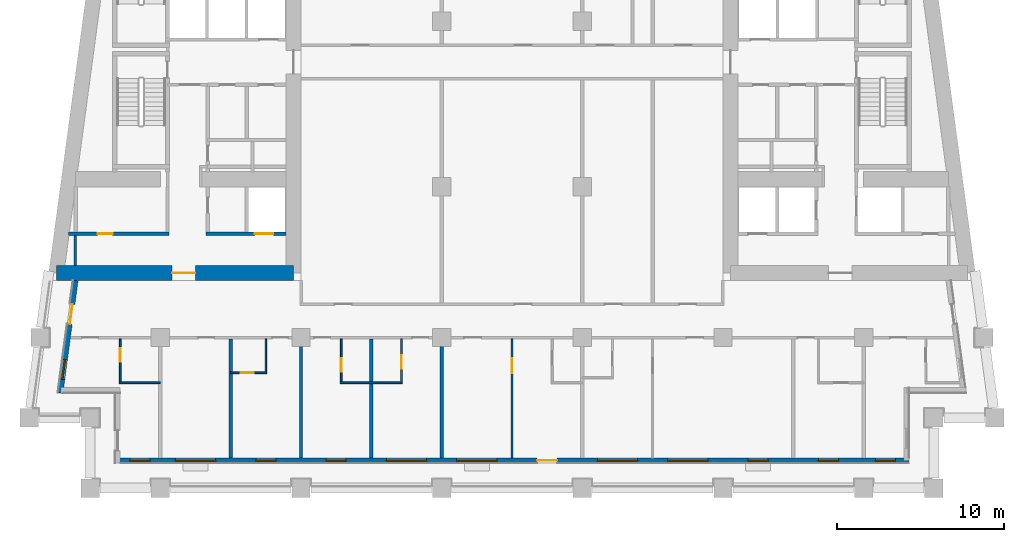
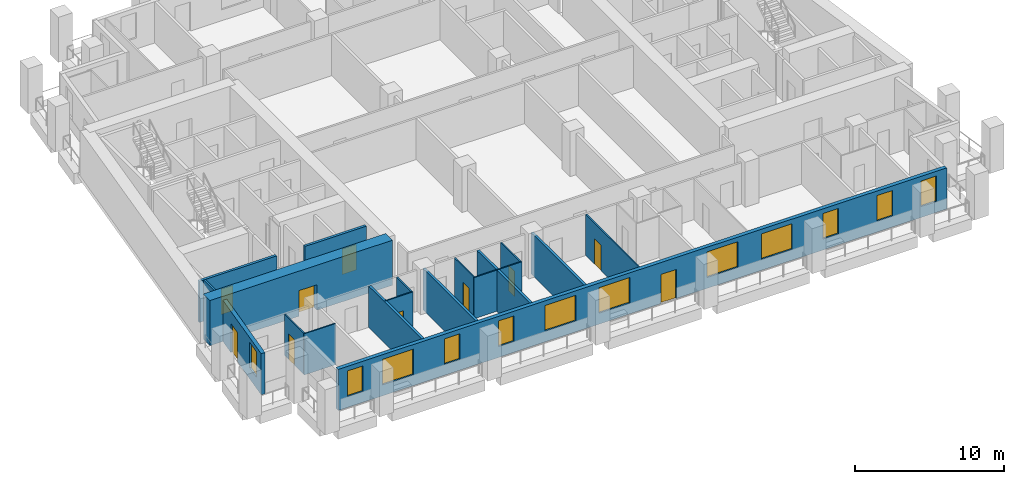
# One storey, part 2 of 12: 18 walls, 12 windows, 10 doors, 22 openings.
"""IFC4 building model written with IfcOpenShell, lengths in metres."""

from ifc_helpers import new_model, si_unit, direction, frame, frame_2d, origin, place, context, subcontext, project, spatial, rectangle, extrude, material, layer, layer_set, type_object, element, fill, save


model = new_model("IFC4")

# Units and contexts
model_context = context("Model", 3, precision=1e-05, world=origin(), true_north=direction((0.0, 1.0)))
body_context = subcontext(model_context, "Body", "Model", "MODEL_VIEW")
ifc_project = project(units=[si_unit("LENGTHUNIT", "METRE"), si_unit("AREAUNIT", "SQUARE_METRE"), si_unit("VOLUMEUNIT", "CUBIC_METRE"), si_unit("PLANEANGLEUNIT", "RADIAN"), si_unit("MASSUNIT", "GRAM", prefix="KILO")], contexts=[model_context])

# Site, building, storey
site_placement = place(None, origin())
site = spatial("IfcSite", under=ifc_project, at=site_placement, CompositionType="ELEMENT")
building_placement = place(site_placement, origin())
building = spatial("IfcBuilding", under=site, at=building_placement, Name="Candeia Pilgrim Tower and Theatre", CompositionType="ELEMENT")
storey_placement = place(building_placement, frame((0.0, 0.0, 147.800048828125)))
storey = spatial("IfcBuildingStorey", under=building, at=storey_placement, Name="L34", CompositionType="ELEMENT", Elevation=147.800048828125)

# Wall, opening, door
ifc_material_1 = material(Name="Concrete C60/75", Category="concrete")
ifc_layer_1 = layer(ifc_material_1, 0.89990234375)
ifc_layer_set_1 = layer_set([ifc_layer_1], Name="Core wall 900 C60/75")
wall_type_1 = type_object("IfcWallType", Name="Core wall 900 C60/75", PredefinedType="SHEAR", material=ifc_layer_set_1)
wall_1_placement = place(storey_placement, frame((100.35009765625, 110.85009765625, 0.0), z_axis=(0.0, 0.0, 1.0), x_axis=(-1.0, 0.0, 0.0)))
wall_1 = element("IfcWall", 1, at=wall_1_placement, inside=storey, type_object=wall_type_1, Name="Core wall W3", PredefinedType="SHEAR", context=body_context, shape_type="SweptSolid", body=[
    extrude(rectangle(XDim=14.166259765625, YDim=0.89990234375, at=frame_2d((7.0830078125, 0.0))), origin(), (0.0, 0.0, 1.0), 3.699951171875),
])
opening_1_placement = place(wall_1_placement, frame((5.854736328125, 0.0, 0.0)))
opening_1 = element("IfcOpeningElement", 2, at=opening_1_placement, cuts=wall_1, Name="Opening L34-D055", PredefinedType="OPENING", context=body_context, shape_type="SweptSolid", body=[
    extrude(rectangle(XDim=1.39990234375, YDim=2.10009765625, at=frame_2d((0.699951171875, 1.050048828125))), frame((0.0, 0.4599609375, 0.0), z_axis=(0.0, -1.0, 0.0), x_axis=(1.0, 0.0, 0.0)), (0.0, 0.0, 1.0), 0.919921875),
])
ifc_material_2 = material(Name="Steel fire door set", Category="steel")
door_type_1 = type_object("IfcDoorType", Name="D-1400-FD60", OperationType="NOTDEFINED", PredefinedType="DOOR", material=ifc_material_2)
door_1_placement = place(opening_1_placement, origin())
door_1 = element("IfcDoor", 3, at=door_1_placement, inside=storey, type_object=door_type_1, Name="Door L34-D055", OperationType="SINGLE_SWING_LEFT", OverallHeight=2.10009765625, OverallWidth=1.39990234375, PredefinedType="DOOR", context=body_context, shape_type="SweptSolid", body=[
    extrude(rectangle(XDim=1.39990234375, YDim=2.10009765625, at=frame_2d((0.699951171875, 1.050048828125))), frame((0.0, 0.02490234375, 0.0), z_axis=(0.0, -1.0, 0.0), x_axis=(1.0, 0.0, 0.0)), (0.0, 0.0, 1.0), 0.050048828125),
])
fill(opening_1, door_1)

# Wall, openings, door, windows
ifc_material_3 = material(Name="Ceramic block masonry", Category="masonry")
ifc_layer_2 = layer(ifc_material_3, 0.300048828125)
ifc_layer_set_2 = layer_set([ifc_layer_2], Name="EW1 glazing-line wall 300")
wall_type_2 = type_object("IfcWallType", Name="EW1 glazing-line wall 300", PredefinedType="SOLIDWALL", material=ifc_layer_set_2)
wall_2_placement = place(storey_placement, frame((89.85009765625, 99.64990234375, 0.0), z_axis=(0.0, 0.0, 1.0), x_axis=(1.0, 0.0, 0.0)))
wall_2 = element("IfcWall", 4, at=wall_2_placement, inside=storey, type_object=wall_type_2, Name="External wall L34-0.0", PredefinedType="SOLIDWALL", context=body_context, shape_type="SweptSolid", body=[
    extrude(rectangle(XDim=47.25, YDim=0.300048828125, at=frame_2d((23.625, 0.0))), origin(), (0.0, 0.0, 1.0), 3.3798828125),
])
opening_2_placement = place(wall_2_placement, frame((0.72509765625, 0.0, 0.89990234375)))
opening_2 = element("IfcOpeningElement", 5, at=opening_2_placement, cuts=wall_2, Name="Opening W-B", PredefinedType="OPENING", context=body_context, shape_type="SweptSolid", body=[
    extrude(rectangle(XDim=1.199951171875, YDim=2.10009765625, at=frame_2d((0.60009765625, 1.050048828125))), frame((0.0, 0.16015625, 0.0), z_axis=(0.0, -1.0, 0.0), x_axis=(1.0, 0.0, 0.0)), (0.0, 0.0, 1.0), 0.320068359375),
])
opening_3_placement = place(wall_2_placement, frame((3.449951171875, 0.0, 0.89990234375)))
opening_3 = element("IfcOpeningElement", 6, at=opening_3_placement, cuts=wall_2, Name="Opening W-A", PredefinedType="OPENING", context=body_context, shape_type="SweptSolid", body=[
    extrude(rectangle(XDim=2.39990234375, YDim=2.10009765625, at=frame_2d((1.199951171875, 1.050048828125))), frame((0.0, 0.16015625, 0.0), z_axis=(0.0, -1.0, 0.0), x_axis=(1.0, 0.0, 0.0)), (0.0, 0.0, 1.0), 0.320068359375),
])
opening_4_placement = place(wall_2_placement, frame((8.25, 0.0, 0.89990234375)))
opening_4 = element("IfcOpeningElement", 7, at=opening_4_placement, cuts=wall_2, Name="Opening W-B", PredefinedType="OPENING", context=body_context, shape_type="SweptSolid", body=[
    extrude(rectangle(XDim=1.199951171875, YDim=2.10009765625, at=frame_2d((0.60009765625, 1.050048828125))), frame((0.0, 0.16015625, 0.0), z_axis=(0.0, -1.0, 0.0), x_axis=(1.0, 0.0, 0.0)), (0.0, 0.0, 1.0), 0.320068359375),
])
opening_5_placement = place(wall_2_placement, frame((12.449951171875, 0.0, 0.89990234375)))
opening_5 = element("IfcOpeningElement", 8, at=opening_5_placement, cuts=wall_2, Name="Opening W-B", PredefinedType="OPENING", context=body_context, shape_type="SweptSolid", body=[
    extrude(rectangle(XDim=1.199951171875, YDim=2.10009765625, at=frame_2d((0.60009765625, 1.050048828125))), frame((0.0, 0.16015625, 0.0), z_axis=(0.0, -1.0, 0.0), x_axis=(1.0, 0.0, 0.0)), (0.0, 0.0, 1.0), 0.320068359375),
])
opening_6_placement = place(wall_2_placement, frame((16.050048828125, 0.0, 0.89990234375)))
opening_6 = element("IfcOpeningElement", 9, at=opening_6_placement, cuts=wall_2, Name="Opening W-A", PredefinedType="OPENING", context=body_context, shape_type="SweptSolid", body=[
    extrude(rectangle(XDim=2.39990234375, YDim=2.10009765625, at=frame_2d((1.199951171875, 1.050048828125))), frame((0.0, 0.16015625, 0.0), z_axis=(0.0, -1.0, 0.0), x_axis=(1.0, 0.0, 0.0)), (0.0, 0.0, 1.0), 0.320068359375),
])
opening_7_placement = place(wall_2_placement, frame((20.25, 0.0, 0.89990234375)))
opening_7 = element("IfcOpeningElement", 10, at=opening_7_placement, cuts=wall_2, Name="Opening W-A", PredefinedType="OPENING", context=body_context, shape_type="SweptSolid", body=[
    extrude(rectangle(XDim=2.39990234375, YDim=2.10009765625, at=frame_2d((1.199951171875, 1.050048828125))), frame((0.0, 0.16015625, 0.0), z_axis=(0.0, -1.0, 0.0), x_axis=(1.0, 0.0, 0.0)), (0.0, 0.0, 1.0), 0.320068359375),
])
opening_8_placement = place(wall_2_placement, frame((25.050048828125, 0.0, 0.0)))
opening_8 = element("IfcOpeningElement", 11, at=opening_8_placement, cuts=wall_2, Name="Opening L34-ED326", PredefinedType="OPENING", context=body_context, shape_type="SweptSolid", body=[
    extrude(rectangle(XDim=1.199951171875, YDim=2.39990234375, at=frame_2d((0.60009765625, 1.199951171875))), frame((0.0, 0.16015625, 0.0), z_axis=(0.0, -1.0, 0.0), x_axis=(1.0, 0.0, 0.0)), (0.0, 0.0, 1.0), 0.320068359375),
])
opening_9_placement = place(wall_2_placement, frame((28.64990234375, 0.0, 0.89990234375)))
opening_9 = element("IfcOpeningElement", 12, at=opening_9_placement, cuts=wall_2, Name="Opening W-A", PredefinedType="OPENING", context=body_context, shape_type="SweptSolid", body=[
    extrude(rectangle(XDim=2.39990234375, YDim=2.10009765625, at=frame_2d((1.199951171875, 1.050048828125))), frame((0.0, 0.16015625, 0.0), z_axis=(0.0, -1.0, 0.0), x_axis=(1.0, 0.0, 0.0)), (0.0, 0.0, 1.0), 0.320068359375),
])
opening_10_placement = place(wall_2_placement, frame((32.85009765625, 0.0, 0.89990234375)))
opening_10 = element("IfcOpeningElement", 13, at=opening_10_placement, cuts=wall_2, Name="Opening W-A", PredefinedType="OPENING", context=body_context, shape_type="SweptSolid", body=[
    extrude(rectangle(XDim=2.39990234375, YDim=2.10009765625, at=frame_2d((1.199951171875, 1.050048828125))), frame((0.0, 0.16015625, 0.0), z_axis=(0.0, -1.0, 0.0), x_axis=(1.0, 0.0, 0.0)), (0.0, 0.0, 1.0), 0.320068359375),
])
opening_11_placement = place(wall_2_placement, frame((37.64990234375, 0.0, 0.89990234375)))
opening_11 = element("IfcOpeningElement", 14, at=opening_11_placement, cuts=wall_2, Name="Opening W-B", PredefinedType="OPENING", context=body_context, shape_type="SweptSolid", body=[
    extrude(rectangle(XDim=1.199951171875, YDim=2.10009765625, at=frame_2d((0.60009765625, 1.050048828125))), frame((0.0, 0.16015625, 0.0), z_axis=(0.0, -1.0, 0.0), x_axis=(1.0, 0.0, 0.0)), (0.0, 0.0, 1.0), 0.320068359375),
])
opening_12_placement = place(wall_2_placement, frame((41.85009765625, 0.0, 0.89990234375)))
opening_12 = element("IfcOpeningElement", 15, at=opening_12_placement, cuts=wall_2, Name="Opening W-B", PredefinedType="OPENING", context=body_context, shape_type="SweptSolid", body=[
    extrude(rectangle(XDim=1.199951171875, YDim=2.10009765625, at=frame_2d((0.60009765625, 1.050048828125))), frame((0.0, 0.16015625, 0.0), z_axis=(0.0, -1.0, 0.0), x_axis=(1.0, 0.0, 0.0)), (0.0, 0.0, 1.0), 0.320068359375),
])
opening_13_placement = place(wall_2_placement, frame((45.25, 0.0, 0.89990234375)))
opening_13 = element("IfcOpeningElement", 16, at=opening_13_placement, cuts=wall_2, Name="Opening W-B", PredefinedType="OPENING", context=body_context, shape_type="SweptSolid", body=[
    extrude(rectangle(XDim=1.199951171875, YDim=2.10009765625, at=frame_2d((0.60009765625, 1.050048828125))), frame((0.0, 0.16015625, 0.0), z_axis=(0.0, -1.0, 0.0), x_axis=(1.0, 0.0, 0.0)), (0.0, 0.0, 1.0), 0.320068359375),
])
ifc_material_4 = material(Name="Aluminium framed glazed door", Category="aluminium")
door_type_2 = type_object("IfcDoorType", Name="Loggia door 1200x2400", OperationType="DOUBLE_DOOR_SINGLE_SWING", PredefinedType="DOOR", material=ifc_material_4)
door_2_placement = place(opening_8_placement, origin())
door_2 = element("IfcDoor", 17, at=door_2_placement, inside=storey, type_object=door_type_2, Name="Loggia door L34-ED326", OperationType="DOUBLE_DOOR_SINGLE_SWING", OverallHeight=2.39990234375, OverallWidth=1.199951171875, PredefinedType="DOOR", context=body_context, shape_type="SweptSolid", body=[
    extrude(rectangle(XDim=1.199951171875, YDim=2.39990234375, at=frame_2d((0.60009765625, 1.199951171875))), frame((0.0, 0.02490234375, 0.0), z_axis=(0.0, -1.0, 0.0), x_axis=(1.0, 0.0, 0.0)), (0.0, 0.0, 1.0), 0.050048828125),
])
fill(opening_8, door_2)
ifc_material_5 = material(Name="Aluminium framed double glazing", Category="aluminium")
window_type_1 = type_object("IfcWindowType", Name="W-A window 2400x2100", PartitioningType="DOUBLE_PANEL_VERTICAL", PredefinedType="WINDOW", material=ifc_material_5)
window_1_placement = place(opening_3_placement, origin())
window_1 = element("IfcWindow", 18, at=window_1_placement, inside=storey, type_object=window_type_1, Name="Window W-A L34", OverallHeight=2.10009765625, OverallWidth=2.39990234375, PartitioningType="SINGLE_PANEL", PredefinedType="WINDOW", context=body_context, shape_type="SweptSolid", body=[
    extrude(rectangle(XDim=2.39990234375, YDim=2.10009765625, at=frame_2d((1.199951171875, 1.050048828125))), frame((0.0, 0.030029296875, 0.0), z_axis=(0.0, -1.0, 0.0), x_axis=(1.0, 0.0, 0.0)), (0.0, 0.0, 1.0), 0.06005859375),
])
fill(opening_3, window_1)
window_2_placement = place(opening_6_placement, origin())
window_2 = element("IfcWindow", 19, at=window_2_placement, inside=storey, type_object=window_type_1, Name="Window W-A L34", OverallHeight=2.10009765625, OverallWidth=2.39990234375, PartitioningType="SINGLE_PANEL", PredefinedType="WINDOW", context=body_context, shape_type="SweptSolid", body=[
    extrude(rectangle(XDim=2.39990234375, YDim=2.10009765625, at=frame_2d((1.199951171875, 1.050048828125))), frame((0.0, 0.030029296875, 0.0), z_axis=(0.0, -1.0, 0.0), x_axis=(1.0, 0.0, 0.0)), (0.0, 0.0, 1.0), 0.06005859375),
])
fill(opening_6, window_2)
window_3_placement = place(opening_7_placement, origin())
window_3 = element("IfcWindow", 20, at=window_3_placement, inside=storey, type_object=window_type_1, Name="Window W-A L34", OverallHeight=2.10009765625, OverallWidth=2.39990234375, PartitioningType="SINGLE_PANEL", PredefinedType="WINDOW", context=body_context, shape_type="SweptSolid", body=[
    extrude(rectangle(XDim=2.39990234375, YDim=2.10009765625, at=frame_2d((1.199951171875, 1.050048828125))), frame((0.0, 0.030029296875, 0.0), z_axis=(0.0, -1.0, 0.0), x_axis=(1.0, 0.0, 0.0)), (0.0, 0.0, 1.0), 0.06005859375),
])
fill(opening_7, window_3)
window_4_placement = place(opening_9_placement, origin())
window_4 = element("IfcWindow", 21, at=window_4_placement, inside=storey, type_object=window_type_1, Name="Window W-A L34", OverallHeight=2.10009765625, OverallWidth=2.39990234375, PartitioningType="SINGLE_PANEL", PredefinedType="WINDOW", context=body_context, shape_type="SweptSolid", body=[
    extrude(rectangle(XDim=2.39990234375, YDim=2.10009765625, at=frame_2d((1.199951171875, 1.050048828125))), frame((0.0, 0.030029296875, 0.0), z_axis=(0.0, -1.0, 0.0), x_axis=(1.0, 0.0, 0.0)), (0.0, 0.0, 1.0), 0.06005859375),
])
fill(opening_9, window_4)
window_5_placement = place(opening_10_placement, origin())
window_5 = element("IfcWindow", 22, at=window_5_placement, inside=storey, type_object=window_type_1, Name="Window W-A L34", OverallHeight=2.10009765625, OverallWidth=2.39990234375, PartitioningType="SINGLE_PANEL", PredefinedType="WINDOW", context=body_context, shape_type="SweptSolid", body=[
    extrude(rectangle(XDim=2.39990234375, YDim=2.10009765625, at=frame_2d((1.199951171875, 1.050048828125))), frame((0.0, 0.030029296875, 0.0), z_axis=(0.0, -1.0, 0.0), x_axis=(1.0, 0.0, 0.0)), (0.0, 0.0, 1.0), 0.06005859375),
])
fill(opening_10, window_5)
window_type_2 = type_object("IfcWindowType", Name="W-B window 1200x2100", PartitioningType="SINGLE_PANEL", PredefinedType="WINDOW", material=ifc_material_5)
window_6_placement = place(opening_2_placement, origin())
window_6 = element("IfcWindow", 23, at=window_6_placement, inside=storey, type_object=window_type_2, Name="Window W-B L34", OverallHeight=2.10009765625, OverallWidth=1.199951171875, PartitioningType="SINGLE_PANEL", PredefinedType="WINDOW", context=body_context, shape_type="SweptSolid", body=[
    extrude(rectangle(XDim=1.199951171875, YDim=2.10009765625, at=frame_2d((0.60009765625, 1.050048828125))), frame((0.0, 0.030029296875, 0.0), z_axis=(0.0, -1.0, 0.0), x_axis=(1.0, 0.0, 0.0)), (0.0, 0.0, 1.0), 0.06005859375),
])
fill(opening_2, window_6)
window_7_placement = place(opening_4_placement, origin())
window_7 = element("IfcWindow", 24, at=window_7_placement, inside=storey, type_object=window_type_2, Name="Window W-B L34", OverallHeight=2.10009765625, OverallWidth=1.199951171875, PartitioningType="SINGLE_PANEL", PredefinedType="WINDOW", context=body_context, shape_type="SweptSolid", body=[
    extrude(rectangle(XDim=1.199951171875, YDim=2.10009765625, at=frame_2d((0.60009765625, 1.050048828125))), frame((0.0, 0.030029296875, 0.0), z_axis=(0.0, -1.0, 0.0), x_axis=(1.0, 0.0, 0.0)), (0.0, 0.0, 1.0), 0.06005859375),
])
fill(opening_4, window_7)
window_8_placement = place(opening_5_placement, origin())
window_8 = element("IfcWindow", 25, at=window_8_placement, inside=storey, type_object=window_type_2, Name="Window W-B L34", OverallHeight=2.10009765625, OverallWidth=1.199951171875, PartitioningType="SINGLE_PANEL", PredefinedType="WINDOW", context=body_context, shape_type="SweptSolid", body=[
    extrude(rectangle(XDim=1.199951171875, YDim=2.10009765625, at=frame_2d((0.60009765625, 1.050048828125))), frame((0.0, 0.030029296875, 0.0), z_axis=(0.0, -1.0, 0.0), x_axis=(1.0, 0.0, 0.0)), (0.0, 0.0, 1.0), 0.06005859375),
])
fill(opening_5, window_8)
window_9_placement = place(opening_11_placement, origin())
window_9 = element("IfcWindow", 26, at=window_9_placement, inside=storey, type_object=window_type_2, Name="Window W-B L34", OverallHeight=2.10009765625, OverallWidth=1.199951171875, PartitioningType="SINGLE_PANEL", PredefinedType="WINDOW", context=body_context, shape_type="SweptSolid", body=[
    extrude(rectangle(XDim=1.199951171875, YDim=2.10009765625, at=frame_2d((0.60009765625, 1.050048828125))), frame((0.0, 0.030029296875, 0.0), z_axis=(0.0, -1.0, 0.0), x_axis=(1.0, 0.0, 0.0)), (0.0, 0.0, 1.0), 0.06005859375),
])
fill(opening_11, window_9)
window_10_placement = place(opening_12_placement, origin())
window_10 = element("IfcWindow", 27, at=window_10_placement, inside=storey, type_object=window_type_2, Name="Window W-B L34", OverallHeight=2.10009765625, OverallWidth=1.199951171875, PartitioningType="SINGLE_PANEL", PredefinedType="WINDOW", context=body_context, shape_type="SweptSolid", body=[
    extrude(rectangle(XDim=1.199951171875, YDim=2.10009765625, at=frame_2d((0.60009765625, 1.050048828125))), frame((0.0, 0.030029296875, 0.0), z_axis=(0.0, -1.0, 0.0), x_axis=(1.0, 0.0, 0.0)), (0.0, 0.0, 1.0), 0.06005859375),
])
fill(opening_12, window_10)
window_11_placement = place(opening_13_placement, origin())
window_11 = element("IfcWindow", 28, at=window_11_placement, inside=storey, type_object=window_type_2, Name="Window W-B L34", OverallHeight=2.10009765625, OverallWidth=1.199951171875, PartitioningType="SINGLE_PANEL", PredefinedType="WINDOW", context=body_context, shape_type="SweptSolid", body=[
    extrude(rectangle(XDim=1.199951171875, YDim=2.10009765625, at=frame_2d((0.60009765625, 1.050048828125))), frame((0.0, 0.030029296875, 0.0), z_axis=(0.0, -1.0, 0.0), x_axis=(1.0, 0.0, 0.0)), (0.0, 0.0, 1.0), 0.06005859375),
])
fill(opening_13, window_11)

# Wall, openings, door, window
wall_3_placement = place(storey_placement, frame((87.334228515625, 110.39990234375, 0.0), z_axis=(0.0, 0.0, 1.0), x_axis=(-0.133437175554, -0.991057273915, 0.0)))
wall_3 = element("IfcWall", 29, at=wall_3_placement, inside=storey, type_object=wall_type_2, Name="External wall L34-9.1", PredefinedType="SOLIDWALL", context=body_context, shape_type="SweptSolid", body=[
    extrude(rectangle(XDim=6.780517578125, YDim=0.300048828125, at=frame_2d((3.39013671875, 0.0))), origin(), (0.0, 0.0, 1.0), 3.3798828125),
])
opening_14_placement = place(wall_3_placement, frame((1.41796875, 0.0, 0.0)))
opening_14 = element("IfcOpeningElement", 30, at=opening_14_placement, cuts=wall_3, Name="Opening L34-ED333", PredefinedType="OPENING", context=body_context, shape_type="SweptSolid", body=[
    extrude(rectangle(XDim=1.199951171875, YDim=2.39990234375, at=frame_2d((0.60009765625, 1.199951171875))), frame((0.0, 0.16015625, 0.0), z_axis=(0.0, -1.0, 0.0), x_axis=(1.0, 0.0, 0.0)), (0.0, 0.0, 1.0), 0.320068359375),
])
opening_15_placement = place(wall_3_placement, frame((4.75830078125, 0.0, 0.89990234375)))
opening_15 = element("IfcOpeningElement", 31, at=opening_15_placement, cuts=wall_3, Name="Opening W-B", PredefinedType="OPENING", context=body_context, shape_type="SweptSolid", body=[
    extrude(rectangle(XDim=1.199951171875, YDim=2.10009765625, at=frame_2d((0.60009765625, 1.050048828125))), frame((0.0, 0.16015625, 0.0), z_axis=(0.0, -1.0, 0.0), x_axis=(1.0, 0.0, 0.0)), (0.0, 0.0, 1.0), 0.320068359375),
])
door_3_placement = place(opening_14_placement, origin())
door_3 = element("IfcDoor", 32, at=door_3_placement, inside=storey, type_object=door_type_2, Name="Loggia door L34-ED333", OperationType="DOUBLE_DOOR_SINGLE_SWING", OverallHeight=2.39990234375, OverallWidth=1.199951171875, PredefinedType="DOOR", context=body_context, shape_type="SweptSolid", body=[
    extrude(rectangle(XDim=1.199951171875, YDim=2.39990234375, at=frame_2d((0.60009765625, 1.199951171875))), frame((0.0, 0.02490234375, 0.0), z_axis=(0.0, -1.0, 0.0), x_axis=(1.0, 0.0, 0.0)), (0.0, 0.0, 1.0), 0.050048828125),
])
fill(opening_14, door_3)
window_12_placement = place(opening_15_placement, origin())
window_12 = element("IfcWindow", 33, at=window_12_placement, inside=storey, type_object=window_type_2, Name="Window W-B L34", OverallHeight=2.10009765625, OverallWidth=1.199951171875, PartitioningType="SINGLE_PANEL", PredefinedType="WINDOW", context=body_context, shape_type="SweptSolid", body=[
    extrude(rectangle(XDim=1.199951171875, YDim=2.10009765625, at=frame_2d((0.60009765625, 1.050048828125))), frame((0.0, 0.030029296875, 0.0), z_axis=(0.0, -1.0, 0.0), x_axis=(1.0, 0.0, 0.0)), (0.0, 0.0, 1.0), 0.06005859375),
])
fill(opening_15, window_12)

# Walls
ifc_material_6 = material(Name="Gypsum board partition on steel studs", Category="steel")
ifc_layer_3 = layer(ifc_material_6, 0.10009765625)
ifc_layer_set_3 = layer_set([ifc_layer_3], Name="PW-100 room partition")
wall_type_3 = type_object("IfcWallType", Name="PW-100 room partition", PredefinedType="PARTITIONING", material=ifc_layer_set_3)
wall_4_placement = place(storey_placement, frame((89.949951171875, 104.300048828125, 0.0), z_axis=(0.0, 0.0, 1.0), x_axis=(1.0, 0.0, 0.0)))
element("IfcWall", 34, at=wall_4_placement, inside=storey, type_object=wall_type_3, Name="Room partition L34-001", PredefinedType="PARTITIONING", context=body_context, shape_type="SweptSolid", body=[
    extrude(rectangle(XDim=2.449951171875, YDim=0.10009765625, at=frame_2d((1.22509765625, 0.0))), origin(), (0.0, 0.0, 1.0), 3.3798828125),
])
wall_5_placement = place(storey_placement, frame((103.14990234375, 104.300048828125, 0.0), z_axis=(0.0, 0.0, 1.0), x_axis=(1.0, 0.0, 0.0)))
element("IfcWall", 35, at=wall_5_placement, inside=storey, type_object=wall_type_3, Name="Room partition L34-002", PredefinedType="PARTITIONING", context=body_context, shape_type="SweptSolid", body=[
    extrude(rectangle(XDim=3.7001953125, YDim=0.10009765625, at=frame_2d((1.85009765625, 0.0))), origin(), (0.0, 0.0, 1.0), 3.3798828125),
])

# Wall, opening, door
wall_6_placement = place(storey_placement, frame((96.60009765625, 104.89990234375, 0.0), z_axis=(0.0, 0.0, 1.0), x_axis=(1.0, 0.0, 0.0)))
wall_6 = element("IfcWall", 36, at=wall_6_placement, inside=storey, type_object=wall_type_3, Name="Room partition L34-007", PredefinedType="PARTITIONING", context=body_context, shape_type="SweptSolid", body=[
    extrude(rectangle(XDim=2.14990234375, YDim=0.10009765625, at=frame_2d((1.074951171875, 0.0))), origin(), (0.0, 0.0, 1.0), 3.3798828125),
])
opening_16_placement = place(wall_6_placement, frame((0.590087890625, 0.0, 0.0)))
opening_16 = element("IfcOpeningElement", 37, at=opening_16_placement, cuts=wall_6, Name="Opening L34-D020", PredefinedType="OPENING", context=body_context, shape_type="SweptSolid", body=[
    extrude(rectangle(XDim=0.800048828125, YDim=2.10009765625, at=frame_2d((0.39990234375, 1.050048828125))), frame((0.0, 0.06005859375, 0.0), z_axis=(0.0, -1.0, 0.0), x_axis=(1.0, 0.0, 0.0)), (0.0, 0.0, 1.0), 0.1201171875),
])
ifc_material_7 = material(Name="Timber door leaf", Category="wood")
door_type_3 = type_object("IfcDoorType", Name="D-800", OperationType="NOTDEFINED", PredefinedType="DOOR", material=ifc_material_7)
door_4_placement = place(opening_16_placement, origin())
door_4 = element("IfcDoor", 38, at=door_4_placement, inside=storey, type_object=door_type_3, Name="Door L34-D020", OperationType="SINGLE_SWING_RIGHT", OverallHeight=2.10009765625, OverallWidth=0.800048828125, PredefinedType="DOOR", context=body_context, shape_type="SweptSolid", body=[
    extrude(rectangle(XDim=0.800048828125, YDim=2.10009765625, at=frame_2d((0.39990234375, 1.050048828125))), frame((0.0, 0.02490234375, 0.0), z_axis=(0.0, -1.0, 0.0), x_axis=(1.0, 0.0, 0.0)), (0.0, 0.0, 1.0), 0.050048828125),
])
fill(opening_16, door_4)

wall_7_placement = place(storey_placement, frame((90.0, 104.35009765625, 0.0), z_axis=(0.0, 0.0, 1.0), x_axis=(0.0, 1.0, 0.0)))
wall_7 = element("IfcWall", 39, at=wall_7_placement, inside=storey, type_object=wall_type_3, Name="Room partition L34-051", PredefinedType="PARTITIONING", context=body_context, shape_type="SweptSolid", body=[
    extrude(rectangle(XDim=2.574951171875, YDim=0.10009765625, at=frame_2d((1.28759765625, 0.0))), origin(), (0.0, 0.0, 1.0), 3.3798828125),
])
opening_17_placement = place(wall_7_placement, frame((1.199951171875, 0.0, 0.0)))
opening_17 = element("IfcOpeningElement", 40, at=opening_17_placement, cuts=wall_7, Name="Opening L34-D017", PredefinedType="OPENING", context=body_context, shape_type="SweptSolid", body=[
    extrude(rectangle(XDim=0.800048828125, YDim=2.10009765625, at=frame_2d((0.39990234375, 1.050048828125))), frame((0.0, 0.06005859375, 0.0), z_axis=(0.0, -1.0, 0.0), x_axis=(1.0, 0.0, 0.0)), (0.0, 0.0, 1.0), 0.1201171875),
])
door_5_placement = place(opening_17_placement, origin())
door_5 = element("IfcDoor", 41, at=door_5_placement, inside=storey, type_object=door_type_3, Name="Door L34-D017", OperationType="SINGLE_SWING_LEFT", OverallHeight=2.10009765625, OverallWidth=0.800048828125, PredefinedType="DOOR", context=body_context, shape_type="SweptSolid", body=[
    extrude(rectangle(XDim=0.800048828125, YDim=2.10009765625, at=frame_2d((0.39990234375, 1.050048828125))), frame((0.0, 0.02490234375, 0.0), z_axis=(0.0, -1.0, 0.0), x_axis=(1.0, 0.0, 0.0)), (0.0, 0.0, 1.0), 0.050048828125),
])
fill(opening_17, door_5)

# Wall
wall_8_placement = place(storey_placement, frame((98.699951171875, 104.949951171875, 0.0), z_axis=(0.0, 0.0, 1.0), x_axis=(0.0, 1.0, 0.0)))
element("IfcWall", 42, at=wall_8_placement, inside=storey, type_object=wall_type_3, Name="Room partition L34-069", PredefinedType="PARTITIONING", context=body_context, shape_type="SweptSolid", body=[
    extrude(rectangle(XDim=1.97509765625, YDim=0.10009765625, at=frame_2d((0.987548828125, 0.0))), origin(), (0.0, 0.0, 1.0), 3.3798828125),
])

# Wall, opening, door
wall_9_placement = place(storey_placement, frame((103.199951171875, 104.35009765625, 0.0), z_axis=(0.0, 0.0, 1.0), x_axis=(0.0, 1.0, 0.0)))
wall_9 = element("IfcWall", 43, at=wall_9_placement, inside=storey, type_object=wall_type_3, Name="Room partition L34-074", PredefinedType="PARTITIONING", context=body_context, shape_type="SweptSolid", body=[
    extrude(rectangle(XDim=2.574951171875, YDim=0.10009765625, at=frame_2d((1.28759765625, 0.0))), origin(), (0.0, 0.0, 1.0), 3.3798828125),
])
opening_18_placement = place(wall_9_placement, frame((0.60009765625, 0.0, 0.0)))
opening_18 = element("IfcOpeningElement", 44, at=opening_18_placement, cuts=wall_9, Name="Opening L34-D022", PredefinedType="OPENING", context=body_context, shape_type="SweptSolid", body=[
    extrude(rectangle(XDim=0.800048828125, YDim=2.10009765625, at=frame_2d((0.39990234375, 1.050048828125))), frame((0.0, 0.06005859375, 0.0), z_axis=(0.0, -1.0, 0.0), x_axis=(1.0, 0.0, 0.0)), (0.0, 0.0, 1.0), 0.1201171875),
])
door_6_placement = place(opening_18_placement, origin())
door_6 = element("IfcDoor", 45, at=door_6_placement, inside=storey, type_object=door_type_3, Name="Door L34-D022", OperationType="SINGLE_SWING_RIGHT", OverallHeight=2.10009765625, OverallWidth=0.800048828125, PredefinedType="DOOR", context=body_context, shape_type="SweptSolid", body=[
    extrude(rectangle(XDim=0.800048828125, YDim=2.10009765625, at=frame_2d((0.39990234375, 1.050048828125))), frame((0.0, 0.02490234375, 0.0), z_axis=(0.0, -1.0, 0.0), x_axis=(1.0, 0.0, 0.0)), (0.0, 0.0, 1.0), 0.050048828125),
])
fill(opening_18, door_6)

wall_10_placement = place(storey_placement, frame((106.800048828125, 104.35009765625, 0.0), z_axis=(0.0, 0.0, 1.0), x_axis=(0.0, 1.0, 0.0)))
wall_10 = element("IfcWall", 46, at=wall_10_placement, inside=storey, type_object=wall_type_3, Name="Room partition L34-076", PredefinedType="PARTITIONING", context=body_context, shape_type="SweptSolid", body=[
    extrude(rectangle(XDim=2.574951171875, YDim=0.10009765625, at=frame_2d((1.28759765625, 0.0))), origin(), (0.0, 0.0, 1.0), 3.3798828125),
])
opening_19_placement = place(wall_10_placement, frame((0.780029296875, 0.0, 0.0)))
opening_19 = element("IfcOpeningElement", 47, at=opening_19_placement, cuts=wall_10, Name="Opening L34-D024", PredefinedType="OPENING", context=body_context, shape_type="SweptSolid", body=[
    extrude(rectangle(XDim=0.800048828125, YDim=2.10009765625, at=frame_2d((0.39990234375, 1.050048828125))), frame((0.0, 0.06005859375, 0.0), z_axis=(0.0, -1.0, 0.0), x_axis=(1.0, 0.0, 0.0)), (0.0, 0.0, 1.0), 0.1201171875),
])
door_7_placement = place(opening_19_placement, origin())
door_7 = element("IfcDoor", 48, at=door_7_placement, inside=storey, type_object=door_type_3, Name="Door L34-D024", OperationType="SINGLE_SWING_RIGHT", OverallHeight=2.10009765625, OverallWidth=0.800048828125, PredefinedType="DOOR", context=body_context, shape_type="SweptSolid", body=[
    extrude(rectangle(XDim=0.800048828125, YDim=2.10009765625, at=frame_2d((0.39990234375, 1.050048828125))), frame((0.0, 0.02490234375, 0.0), z_axis=(0.0, -1.0, 0.0), x_axis=(1.0, 0.0, 0.0)), (0.0, 0.0, 1.0), 0.050048828125),
])
fill(opening_19, door_7)

wall_11_placement = place(storey_placement, frame((113.39990234375, 99.7900390625, 0.0), z_axis=(0.0, 0.0, 1.0), x_axis=(0.0, 1.0, 0.0)))
wall_11 = element("IfcWall", 49, at=wall_11_placement, inside=storey, type_object=wall_type_3, Name="Room partition L34-082", PredefinedType="PARTITIONING", context=body_context, shape_type="SweptSolid", body=[
    extrude(rectangle(XDim=7.135009765625, YDim=0.10009765625, at=frame_2d((3.5673828125, 0.0))), origin(), (0.0, 0.0, 1.0), 3.3798828125),
])
opening_20_placement = place(wall_11_placement, frame((5.074951171875, 0.0, 0.0)))
opening_20 = element("IfcOpeningElement", 50, at=opening_20_placement, cuts=wall_11, Name="Opening L34-D026", PredefinedType="OPENING", context=body_context, shape_type="SweptSolid", body=[
    extrude(rectangle(XDim=0.89990234375, YDim=2.10009765625, at=frame_2d((0.449951171875, 1.050048828125))), frame((0.0, 0.06005859375, 0.0), z_axis=(0.0, -1.0, 0.0), x_axis=(1.0, 0.0, 0.0)), (0.0, 0.0, 1.0), 0.1201171875),
])
door_type_4 = type_object("IfcDoorType", Name="D-900", OperationType="NOTDEFINED", PredefinedType="DOOR", material=ifc_material_7)
door_8_placement = place(opening_20_placement, origin())
door_8 = element("IfcDoor", 51, at=door_8_placement, inside=storey, type_object=door_type_4, Name="Door L34-D026", OperationType="SINGLE_SWING_RIGHT", OverallHeight=2.10009765625, OverallWidth=0.89990234375, PredefinedType="DOOR", context=body_context, shape_type="SweptSolid", body=[
    extrude(rectangle(XDim=0.89990234375, YDim=2.10009765625, at=frame_2d((0.449951171875, 1.050048828125))), frame((0.0, 0.02490234375, 0.0), z_axis=(0.0, -1.0, 0.0), x_axis=(1.0, 0.0, 0.0)), (0.0, 0.0, 1.0), 0.050048828125),
])
fill(opening_20, door_8)

# Walls
ifc_layer_4 = layer(ifc_material_6, 0.14990234375)
ifc_layer_set_4 = layer_set([ifc_layer_4], Name="PW-150 lobby wall")
wall_type_4 = type_object("IfcWallType", Name="PW-150 lobby wall", PredefinedType="PARTITIONING", material=ifc_layer_set_4)
wall_12_placement = place(storey_placement, frame((87.327880859375, 111.300048828125, 0.0), z_axis=(0.0, 0.0, 1.0), x_axis=(0.0, 1.0, 0.0)))
element("IfcWall", 52, at=wall_12_placement, inside=storey, type_object=wall_type_4, Name="Lobby wall L34-048", PredefinedType="PARTITIONING", context=body_context, shape_type="SweptSolid", body=[
    extrude(rectangle(XDim=1.800048828125, YDim=0.14990234375, at=frame_2d((0.89990234375, 0.0))), origin(), (0.0, 0.0, 1.0), 3.3798828125),
])
ifc_layer_5 = layer(ifc_material_6, 0.199951171875)
ifc_layer_set_5 = layer_set([ifc_layer_5], Name="PW-200 party wall")
wall_type_5 = type_object("IfcWallType", Name="PW-200 party wall", PredefinedType="PARTITIONING", material=ifc_layer_set_5)
for number, where, z_axis, x_axis, name in (
    (53, (96.60009765625, 99.7900390625, 0.0), (0.0, 0.0, 1.0), (0.0, 1.0, 0.0), "Party wall L34-063"),
    (54, (100.800048828125, 99.7900390625, 0.0), (0.0, 0.0, 1.0), (0.0, 1.0, 0.0), "Party wall L34-070"),
    (55, (105.0, 99.7900390625, 0.0), (0.0, 0.0, 1.0), (0.0, 1.0, 0.0), "Party wall L34-075"),
    (56, (109.199951171875, 99.7900390625, 0.0), (0.0, 0.0, 1.0), (0.0, 1.0, 0.0), "Party wall L34-078"),
):
    element("IfcWall", number, at=place(storey_placement, frame(where, z_axis=z_axis, x_axis=x_axis)), inside=storey, type_object=wall_type_5, Name=name, PredefinedType="PARTITIONING", context=body_context, shape_type="SweptSolid", body=[
        extrude(rectangle(XDim=7.135009765625, YDim=0.199951171875, at=frame_2d((3.5673828125, 0.0))), origin(), (0.0, 0.0, 1.0), 3.3798828125),
    ])

# Wall, opening, door
ifc_material_8 = material(Name="Concrete C40/50", Category="concrete")
ifc_layer_6 = layer(ifc_material_8, 0.199951171875)
ifc_layer_set_6 = layer_set([ifc_layer_6], Name="SW-200 shaft wall")
wall_type_6 = type_object("IfcWallType", Name="SW-200 shaft wall", PredefinedType="PARTITIONING", material=ifc_layer_set_6)
wall_13_placement = place(storey_placement, frame((86.92431640625, 113.199951171875, 0.0), z_axis=(0.0, 0.0, 1.0), x_axis=(1.0, 0.0, 0.0)))
wall_13 = element("IfcWall", 57, at=wall_13_placement, inside=storey, type_object=wall_type_6, Name="Shaft wall L34-010", PredefinedType="PARTITIONING", context=body_context, shape_type="SweptSolid", body=[
    extrude(rectangle(XDim=6.002685546875, YDim=0.199951171875, at=frame_2d((3.00146484375, 0.0))), origin(), (0.0, 0.0, 1.0), 3.3798828125),
])
opening_21_placement = place(wall_13_placement, frame((1.728759765625, 0.0, 0.0)))
opening_21 = element("IfcOpeningElement", 58, at=opening_21_placement, cuts=wall_13, Name="Opening L34-D007", PredefinedType="OPENING", context=body_context, shape_type="SweptSolid", body=[
    extrude(rectangle(XDim=0.89990234375, YDim=2.10009765625, at=frame_2d((0.449951171875, 1.050048828125))), frame((0.0, 0.10986328125, 0.0), z_axis=(0.0, -1.0, 0.0), x_axis=(1.0, 0.0, 0.0)), (0.0, 0.0, 1.0), 0.219970703125),
])
door_type_5 = type_object("IfcDoorType", Name="D-900-FD60", OperationType="NOTDEFINED", PredefinedType="DOOR", material=ifc_material_2)
door_9_placement = place(opening_21_placement, origin())
door_9 = element("IfcDoor", 59, at=door_9_placement, inside=storey, type_object=door_type_5, Name="Door L34-D007", OperationType="SINGLE_SWING_RIGHT", OverallHeight=2.10009765625, OverallWidth=0.89990234375, PredefinedType="DOOR", context=body_context, shape_type="SweptSolid", body=[
    extrude(rectangle(XDim=0.89990234375, YDim=2.10009765625, at=frame_2d((0.449951171875, 1.050048828125))), frame((0.0, 0.02490234375, 0.0), z_axis=(0.0, -1.0, 0.0), x_axis=(1.0, 0.0, 0.0)), (0.0, 0.0, 1.0), 0.050048828125),
])
fill(opening_21, door_9)

wall_14_placement = place(storey_placement, frame((95.126953125, 113.199951171875, 0.0), z_axis=(0.0, 0.0, 1.0), x_axis=(1.0, 0.0, 0.0)))
wall_14 = element("IfcWall", 60, at=wall_14_placement, inside=storey, type_object=wall_type_6, Name="Shaft wall L34-011", PredefinedType="PARTITIONING", context=body_context, shape_type="SweptSolid", body=[
    extrude(rectangle(XDim=4.77294921875, YDim=0.199951171875, at=frame_2d((2.386474609375, 0.0))), origin(), (0.0, 0.0, 1.0), 3.3798828125),
])
opening_22_placement = place(wall_14_placement, frame((2.9208984375, 0.0, 0.0)))
opening_22 = element("IfcOpeningElement", 61, at=opening_22_placement, cuts=wall_14, Name="Opening L34-LD03", PredefinedType="OPENING", context=body_context, shape_type="SweptSolid", body=[
    extrude(rectangle(XDim=1.10009765625, YDim=2.10009765625, at=frame_2d((0.550048828125, 1.050048828125))), frame((0.0, 0.10986328125, 0.0), z_axis=(0.0, -1.0, 0.0), x_axis=(1.0, 0.0, 0.0)), (0.0, 0.0, 1.0), 0.219970703125),
])
ifc_material_9 = material(Name="Glazed aluminium landing door", Category="aluminium")
door_type_6 = type_object("IfcDoorType", Name="LD-1100-EI120", OperationType="SLIDING_TO_LEFT", PredefinedType="DOOR", material=ifc_material_9)
door_10_placement = place(opening_22_placement, origin())
door_10 = element("IfcDoor", 62, at=door_10_placement, inside=storey, type_object=door_type_6, Name="Landing door 03 L34", OperationType="SLIDING_TO_LEFT", OverallHeight=2.10009765625, OverallWidth=1.10009765625, PredefinedType="DOOR", context=body_context, shape_type="SweptSolid", body=[
    extrude(rectangle(XDim=1.10009765625, YDim=2.10009765625, at=frame_2d((0.550048828125, 1.050048828125))), frame((0.0, 0.02490234375, 0.0), z_axis=(0.0, -1.0, 0.0), x_axis=(1.0, 0.0, 0.0)), (0.0, 0.0, 1.0), 0.050048828125),
])
fill(opening_22, door_10)

save(model, "model.ifc")
